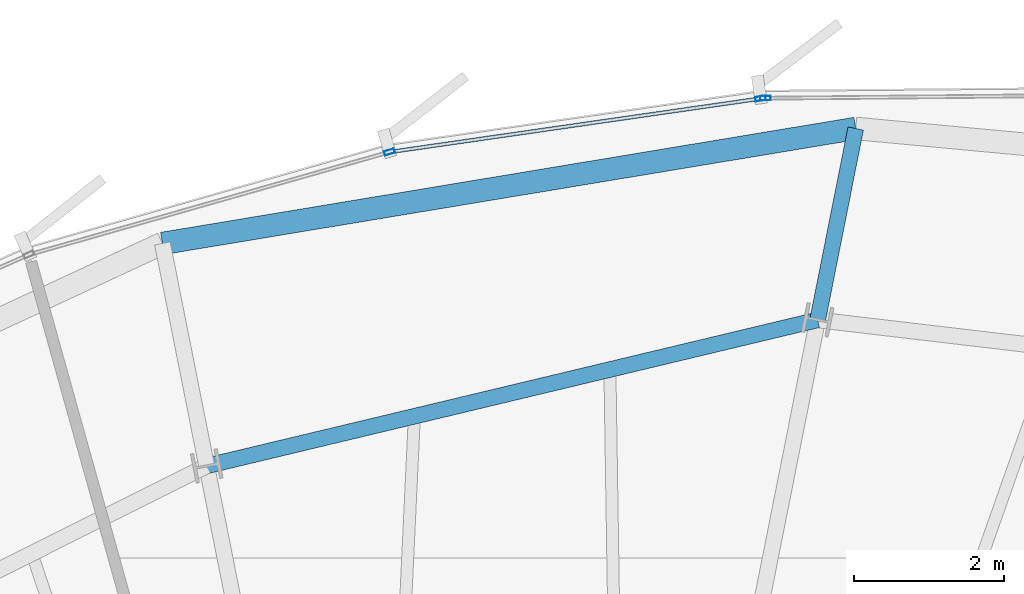
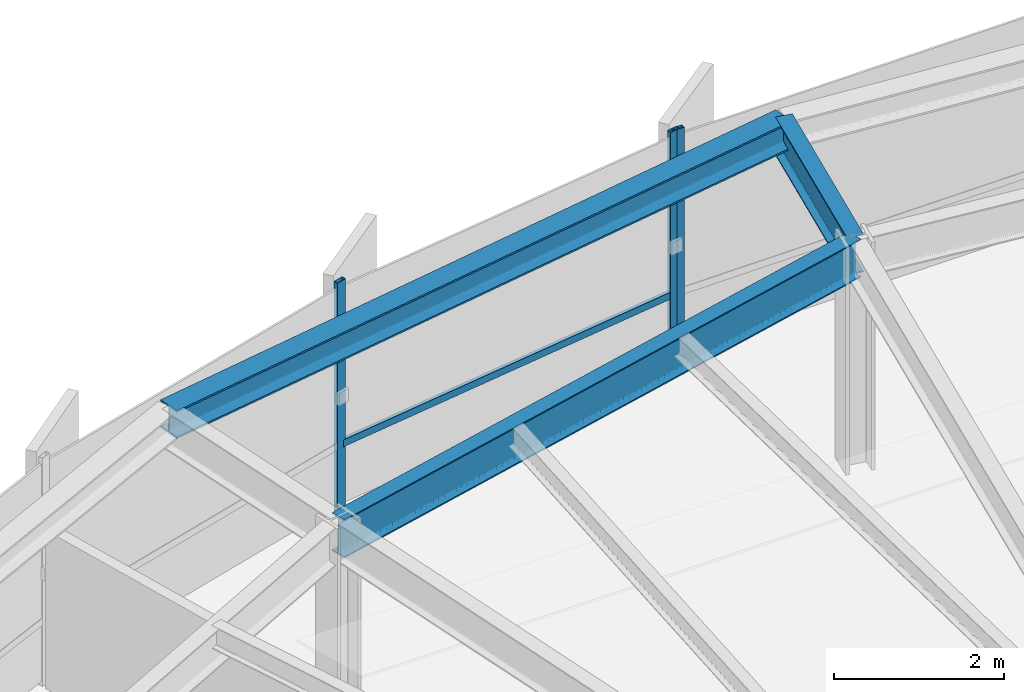
# One storey, part 22 of 35: 4 members, 3 beams, 2 elements without a shape of their own.
"""IFC4 building model written with IfcOpenShell, lengths in metres."""

from ifc_helpers import new_model, si_unit, direction, frame, origin, origin_2d, place, context, subcontext, project, spatial, hollow_rectangle, i_section, extrude, source, transform, mapped, material, layer, layer_set, material_profile, profile_set, type_object, element, aggregate, save


model = new_model("IFC4")

# Units and contexts
model_context = context("Model", 3, precision=1e-05, world=origin(), true_north=direction((0.0, 1.0)))
body_context = subcontext(model_context, "Body", "Model", "MODEL_VIEW")
ifc_project = project(units=[si_unit("LENGTHUNIT", "METRE"), si_unit("AREAUNIT", "SQUARE_METRE"), si_unit("VOLUMEUNIT", "CUBIC_METRE"), si_unit("PLANEANGLEUNIT", "RADIAN"), si_unit("MASSUNIT", "GRAM", prefix="KILO"), si_unit("THERMODYNAMICTEMPERATUREUNIT", "KELVIN")], contexts=[model_context])

# Site, building, storey
site_placement = place(None, origin())
site = spatial("IfcSite", under=ifc_project, at=site_placement, CompositionType="ELEMENT")
building_placement = place(site_placement, origin())
building = spatial("IfcBuilding", under=site, at=building_placement, Name="Kethvar Cultural Tower", CompositionType="ELEMENT")
storey_placement = place(building_placement, frame((0.0, 0.0, 146.550048828125)))
storey = spatial("IfcBuildingStorey", under=building, at=storey_placement, Name="L37", CompositionType="ELEMENT", Elevation=146.550048828125)

# Beams
ifc_material_1 = material(Name="Steel S355J2", Category="steel")
ifc_material_profile_1 = material_profile(ifc_material_1, i_section(OverallWidth=0.2099609375, OverallDepth=0.550048828125, WebThickness=0.010986328125, FlangeThickness=0.01708984375, FilletRadius=0.02392578125, at=origin_2d()), Name="Steel S355J2 — IPE550")
ifc_profile_set_1 = profile_set([ifc_material_profile_1], Name="Steel S355J2 — IPE550")
beam_type_1 = type_object("IfcBeamType", Name="BM-IPE550", PredefinedType="BEAM", material=ifc_profile_set_1)
shared_shape_1 = source(origin(), body_context, "Body", "SweptSolid", [
    extrude(i_section(OverallWidth=0.2099609375, OverallDepth=0.550048828125, WebThickness=0.010986328125, FlangeThickness=0.01708984375, FilletRadius=0.02392578125, at=origin_2d()), origin(), (0.0, 0.0, 1.0), 8.379150390625),
])
beam_1_placement = place(storey_placement, frame((51.068603515625, 49.25927734375, 3.02294921875), z_axis=(-0.972601380857, -0.232479147355, 0.0), x_axis=(0.232479147355, -0.972601380857, 0.0)))
element("IfcBeam", 1, at=beam_1_placement, inside=storey, type_object=beam_type_1, Name="L37 Column Ring Tie Beam CR-04", PredefinedType="BEAM", context=body_context, shape_type="MappedRepresentation", body=[
    mapped(shared_shape_1, transform((0.0, 0.0, 0.0), scale=1.0)),
])
shared_shape_2 = source(origin(), body_context, "Body", "SweptSolid", [
    extrude(i_section(OverallWidth=0.2099609375, OverallDepth=0.550048828125, WebThickness=0.010986328125, FlangeThickness=0.01708984375, FilletRadius=0.02392578125, at=origin_2d()), origin(), (0.0, 0.0, 1.0), 2.603271484375),
])
beam_2_placement = place(storey_placement, frame((51.068603515625, 49.25927734375, 3.02294921875), z_axis=(0.195069975236, 0.98078932741, 0.0), x_axis=(-0.98078932741, 0.195069975236, 0.0)))
element("IfcBeam", 2, at=beam_2_placement, inside=storey, type_object=beam_type_1, Name="L37 Perimeter Cantilever Beam RC-04", PredefinedType="BEAM", context=body_context, shape_type="MappedRepresentation", body=[
    mapped(shared_shape_2, transform((0.0, 0.0, 0.0), scale=1.0)),
])
ifc_material_profile_2 = material_profile(ifc_material_1, i_section(OverallWidth=0.300048828125, OverallDepth=0.39990234375, WebThickness=0.013427734375, FlangeThickness=0.02392578125, FilletRadius=0.027099609375, at=origin_2d()), Name="Steel S355J2 — HEB400")
ifc_profile_set_2 = profile_set([ifc_material_profile_2], Name="Steel S355J2 — HEB400")
beam_type_2 = type_object("IfcBeamType", Name="BM-SP400", PredefinedType="SPANDREL", material=ifc_profile_set_2)
shared_shape_3 = source(origin(), body_context, "Body", "SweptSolid", [
    extrude(i_section(OverallWidth=0.300048828125, OverallDepth=0.39990234375, WebThickness=0.013427734375, FlangeThickness=0.02392578125, FilletRadius=0.027099609375, at=origin_2d()), origin(), (0.0, 0.0, 1.0), 9.3740234375),
])
beam_3_placement = place(storey_placement, frame((51.576416015625, 51.8125, 3.097900390625), z_axis=(-0.986525236054, -0.163609164257, 0.0), x_axis=(0.163609164257, -0.986525236054, 0.0)))
element("IfcBeam", 3, at=beam_3_placement, inside=storey, type_object=beam_type_2, Name="L37 Perimeter Spandrel Beam SP-04", PredefinedType="SPANDREL", context=body_context, shape_type="MappedRepresentation", body=[
    mapped(shared_shape_3, transform((0.0, 0.0, 0.0), scale=1.0)),
])

# Curtain wall, member
ifc_material_2 = material(Name="Aluminium 6063-T6", Category="aluminium")
ifc_layer = layer(ifc_material_2, 0.179931640625, Name="Aluminium 6063-T6", Category="aluminium")
ifc_layer_set = layer_set([ifc_layer], Name="Aluminium 6063-T6 (180 mm)")
curtain_wall_type = type_object("IfcCurtainWallType", Name="CW-SYS-04-Z34", PredefinedType="NOTDEFINED", material=ifc_layer_set)
curtain_wall_1_placement = place(storey_placement, origin())
curtain_wall_1 = element("IfcCurtainWall", 4, at=curtain_wall_1_placement, inside=storey, type_object=curtain_wall_type, Name="L37 Curtain Wall Run 01", PredefinedType="NOTDEFINED")
ifc_material_profile_3 = material_profile(ifc_material_2, hollow_rectangle(XDim=0.06005859375, YDim=0.139892578125, WallThickness=0.0048828125, at=origin_2d()), Name="Aluminium 6063-T6 — RHS140x60x5")
ifc_profile_set_3 = profile_set([ifc_material_profile_3], Name="Aluminium 6063-T6 — RHS140x60x5")
member_type_1 = type_object("IfcMemberType", Name="CW-SYS-04-Z34-MUL", PredefinedType="MULLION", material=ifc_profile_set_3)
shared_shape_4 = source(origin(), body_context, "Body", "SweptSolid", [
    extrude(hollow_rectangle(XDim=0.06005859375, YDim=0.139892578125, WallThickness=0.0048828125, at=origin_2d()), origin(), (0.0, 0.0, 1.0), 3.300048828125),
])
member_1_placement = place(storey_placement, frame((50.37060546875, 52.216064453125, 0.0), z_axis=(0.0, 0.0, 1.0), x_axis=(0.008743988125, -0.999961770605, 0.0)))
member_1 = element("IfcMember", 5, at=member_1_placement, type_object=member_type_1, Name="CW-L37-R01 Mullion 7", PredefinedType="MULLION", context=body_context, shape_type="MappedRepresentation", body=[
    mapped(shared_shape_4, transform((0.0, 0.0, 0.0), scale=1.0)),
])
aggregate(curtain_wall_1, [member_1])

# Curtain wall, members
curtain_wall_2_placement = place(storey_placement, origin())
curtain_wall_2 = element("IfcCurtainWall", 6, at=curtain_wall_2_placement, inside=storey, type_object=curtain_wall_type, Name="L37 Curtain Wall Run 02", PredefinedType="NOTDEFINED")
member_2_placement = place(storey_placement, frame((50.307861328125, 52.211181640625, 0.0), z_axis=(0.0, 0.0, 1.0), x_axis=(0.142767131147, -0.989756306504, 0.0)))
member_2 = element("IfcMember", 7, at=member_2_placement, type_object=member_type_1, Name="CW-L37-R02 Mullion 1", PredefinedType="MULLION", context=body_context, shape_type="MappedRepresentation", body=[
    mapped(shared_shape_4, transform((0.0, 0.0, 0.0), scale=1.0)),
])
member_3_placement = place(storey_placement, frame((45.35791015625, 51.498291015625, 0.0), z_axis=(0.0, 0.0, 1.0), x_axis=(0.273875289887, -0.961765213339, 0.0)))
member_3 = element("IfcMember", 8, at=member_3_placement, type_object=member_type_1, Name="CW-L37-R02 Mullion 2", PredefinedType="MULLION", context=body_context, shape_type="MappedRepresentation", body=[
    mapped(shared_shape_4, transform((0.0, 0.0, 0.0), scale=1.0)),
])
ifc_material_profile_4 = material_profile(ifc_material_2, hollow_rectangle(XDim=0.050048828125, YDim=0.10009765625, WallThickness=0.00390625, at=origin_2d()), Name="Aluminium 6063-T6 — RHS100x50x4")
ifc_profile_set_4 = profile_set([ifc_material_profile_4], Name="Aluminium 6063-T6 — RHS100x50x4")
member_type_2 = type_object("IfcMemberType", Name="CW-SYS-04-Z34-TRN", PredefinedType="USERDEFINED", material=ifc_profile_set_4)
shared_shape_5 = source(origin(), body_context, "Body", "SweptSolid", [
    extrude(hollow_rectangle(XDim=0.050048828125, YDim=0.10009765625, WallThickness=0.00390625, at=origin_2d()), origin(), (0.0, 0.0, 1.0), 4.968017578125),
])
member_4_placement = place(storey_placement, frame((50.3037109375, 52.210693359375, 0.949951171875), z_axis=(-0.989757925108, -0.14275590946, 0.0), x_axis=(0.14275590946, -0.989757925108, 0.0)))
member_4 = element("IfcMember", 9, at=member_4_placement, type_object=member_type_2, Name="CW-L37-R02 Transom 1", ObjectType="TRANSOM", PredefinedType="USERDEFINED", context=body_context, shape_type="MappedRepresentation", body=[
    mapped(shared_shape_5, transform((0.0, 0.0, 0.0), scale=1.0)),
])
aggregate(curtain_wall_2, [member_2, member_3, member_4])

save(model, "model.ifc")
